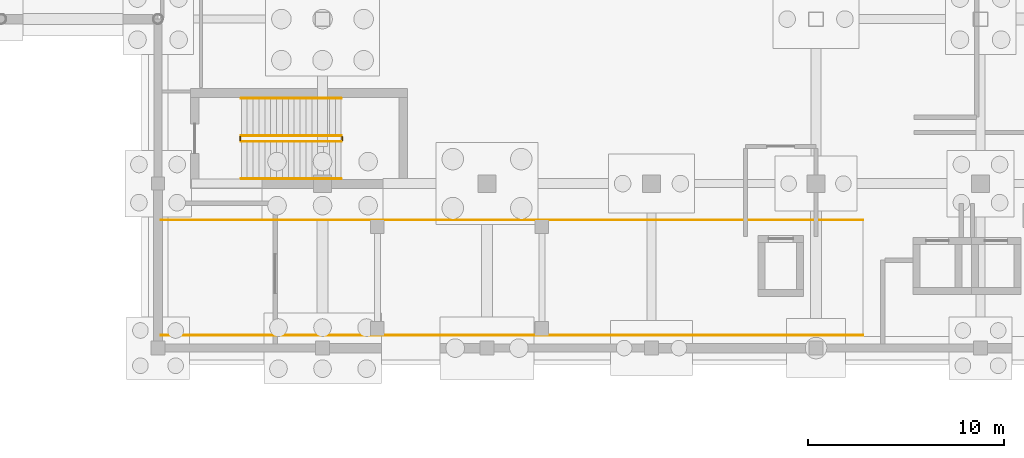
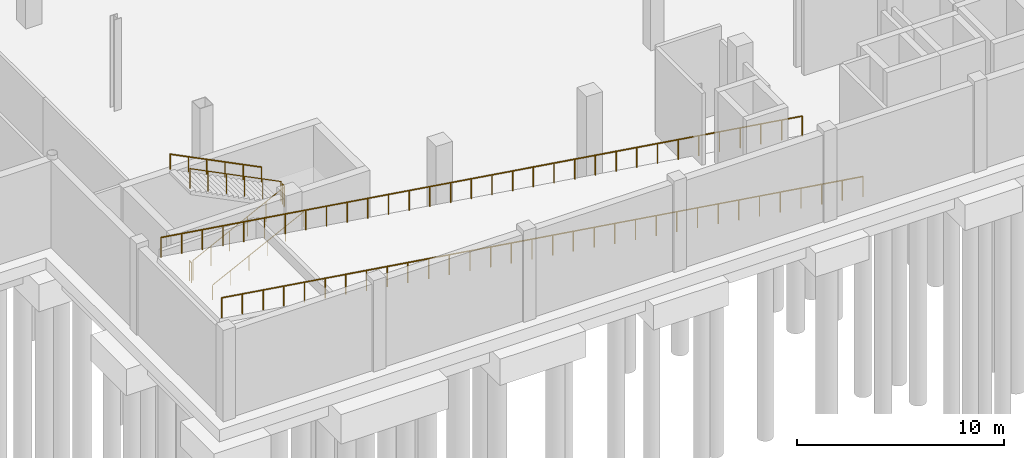
# One storey, part 38 of 49: 8 railings.
"""IFC4 building model written with IfcOpenShell, lengths in metres."""

from ifc_helpers import new_model, si_unit, direction, frame, origin, origin_2d, place, context, subcontext, project, spatial, circle, extrude, material, type_object, element, save


model = new_model("IFC4")

# Units and contexts
model_context = context("Model", 3, precision=1e-05, world=origin(), true_north=direction((0.0, 1.0)))
body_context = subcontext(model_context, "Body", "Model", "MODEL_VIEW")
ifc_project = project(units=[si_unit("LENGTHUNIT", "METRE"), si_unit("AREAUNIT", "SQUARE_METRE"), si_unit("VOLUMEUNIT", "CUBIC_METRE"), si_unit("PLANEANGLEUNIT", "RADIAN"), si_unit("MASSUNIT", "GRAM", prefix="KILO"), si_unit("THERMODYNAMICTEMPERATUREUNIT", "KELVIN")], contexts=[model_context])

# Site, building, storey
site_placement = place(None, origin())
site = spatial("IfcSite", under=ifc_project, at=site_placement, CompositionType="ELEMENT")
building_placement = place(site_placement, origin())
building = spatial("IfcBuilding", under=site, at=building_placement, Name="Lustrewick Department Store", CompositionType="ELEMENT")
storey_placement = place(building_placement, frame((0.0, 0.0, -5.39990234375)))
storey = spatial("IfcBuildingStorey", under=building, at=storey_placement, Name="B1", CompositionType="ELEMENT", Elevation=-5.39990234375)

# Railings
ifc_material_1 = material(Name="Painted tubular steel stairwell guardrail", Category="steel")
railing_type_1 = type_object("IfcRailingType", Name="RL-STG", PredefinedType="GUARDRAIL", material=ifc_material_1)
railing_1_placement = place(storey_placement, frame((12.64990234375, 52.550048828125, 0.14990234375)))
element("IfcRailing", 1, at=railing_1_placement, inside=storey, type_object=railing_type_1, Name="B1 ST01 Stair Guard 1", PredefinedType="GUARDRAIL", context=body_context, shape_type="SweptSolid", body=[
    extrude(circle(Radius=0.02392578125, at=origin_2d()), frame((0.0, 0.0, 1.17578125), z_axis=(0.894427191, 0.0, 0.4472135955), x_axis=(0.0, 1.0, 0.0)), (0.0, 0.0, 1.0), 5.7021484375),
    extrude(circle(Radius=0.02099609375, at=origin_2d()), origin(), (0.0, 0.0, 1.0), 1.15185546875),
    extrude(circle(Radius=0.02099609375, at=origin_2d()), frame((1.02001953125, 0.0, 0.510009765625)), (0.0, 0.0, 1.0), 1.15185546875),
    extrude(circle(Radius=0.02099609375, at=origin_2d()), frame((2.0400390625, 0.0, 1.02001953125)), (0.0, 0.0, 1.0), 1.15185546875),
    extrude(circle(Radius=0.02099609375, at=origin_2d()), frame((3.06005859375, 0.0, 1.530029296875)), (0.0, 0.0, 1.0), 1.15185546875),
    extrude(circle(Radius=0.02099609375, at=origin_2d()), frame((4.080078125, 0.0, 2.0400390625)), (0.0, 0.0, 1.0), 1.15185546875),
    extrude(circle(Radius=0.02099609375, at=origin_2d()), frame((5.10009765625, 0.0, 2.550048828125)), (0.0, 0.0, 1.0), 1.15185546875),
])
railing_2_placement = place(storey_placement, frame((17.800048828125, 52.60009765625, 2.699951171875)))
element("IfcRailing", 2, at=railing_2_placement, inside=storey, type_object=railing_type_1, Name="B1 ST01 Stair Guard 2", PredefinedType="GUARDRAIL", context=body_context, shape_type="SweptSolid", body=[
    extrude(circle(Radius=0.02392578125, at=origin_2d()), frame((0.0, 0.0, 1.17578125), z_axis=(0.0, 1.0, 0.0), x_axis=(-1.0, 0.0, 0.0)), (0.0, 0.0, 1.0), 0.199951171875),
    extrude(circle(Radius=0.02099609375, at=origin_2d()), origin(), (0.0, 0.0, 1.0), 1.15185546875),
    extrude(circle(Radius=0.02099609375, at=origin_2d()), frame((0.0, 0.199951171875, 0.0)), (0.0, 0.0, 1.0), 1.15185546875),
])
railing_3_placement = place(storey_placement, frame((17.75, 52.85009765625, 2.849853515625)))
element("IfcRailing", 3, at=railing_3_placement, inside=storey, type_object=railing_type_1, Name="B1 ST01 Stair Guard 3", PredefinedType="GUARDRAIL", context=body_context, shape_type="SweptSolid", body=[
    extrude(circle(Radius=0.02392578125, at=origin_2d()), frame((0.0, 0.0, 1.17578125), z_axis=(-0.894427191, 0.0, 0.4472135955), x_axis=(0.0, -1.0, 0.0)), (0.0, 0.0, 1.0), 5.7021484375),
    extrude(circle(Radius=0.02099609375, at=origin_2d()), origin(), (0.0, 0.0, 1.0), 1.15185546875),
    extrude(circle(Radius=0.02099609375, at=origin_2d()), frame((-1.02001953125, 0.0, 0.510009765625)), (0.0, 0.0, 1.0), 1.15185546875),
    extrude(circle(Radius=0.02099609375, at=origin_2d()), frame((-2.0400390625, 0.0, 1.02001953125)), (0.0, 0.0, 1.0), 1.15185546875),
    extrude(circle(Radius=0.02099609375, at=origin_2d()), frame((-3.06005859375, 0.0, 1.530029296875)), (0.0, 0.0, 1.0), 1.15185546875),
    extrude(circle(Radius=0.02099609375, at=origin_2d()), frame((-4.080078125, 0.0, 2.0400390625)), (0.0, 0.0, 1.0), 1.15185546875),
    extrude(circle(Radius=0.02099609375, at=origin_2d()), frame((-5.10009765625, 0.0, 2.550048828125)), (0.0, 0.0, 1.0), 1.15185546875),
])
railing_4_placement = place(storey_placement, frame((12.60009765625, 52.60009765625, 0.0)))
element("IfcRailing", 4, at=railing_4_placement, inside=storey, type_object=railing_type_1, Name="B1 ST01 Stair Guard 4", PredefinedType="GUARDRAIL", context=body_context, shape_type="SweptSolid", body=[
    extrude(circle(Radius=0.02392578125, at=origin_2d()), frame((0.0, 0.0, 1.17578125), z_axis=(0.0, 1.0, 0.0), x_axis=(-1.0, 0.0, 0.0)), (0.0, 0.0, 1.0), 0.199951171875),
    extrude(circle(Radius=0.02099609375, at=origin_2d()), origin(), (0.0, 0.0, 1.0), 1.15185546875),
    extrude(circle(Radius=0.02099609375, at=origin_2d()), frame((0.0, 0.199951171875, 0.0)), (0.0, 0.0, 1.0), 1.15185546875),
])
railing_5_placement = place(storey_placement, frame((44.39990234375, 42.659912109375, 0.0)))
element("IfcRailing", 5, at=railing_5_placement, inside=storey, type_object=railing_type_1, Name="B1 Vehicle Ramp VR-01 Side Guardrail S", PredefinedType="GUARDRAIL", context=body_context, shape_type="SweptSolid", body=[
    extrude(circle(Radius=0.02392578125, at=origin_2d()), frame((0.0, 0.0, 1.17578125), z_axis=(-0.988936501065, 0.0, 0.148339464948), x_axis=(0.0, -1.0, 0.0)), (0.0, 0.0, 1.0), 36.2509765625),
    extrude(circle(Radius=0.02099609375, at=origin_2d()), origin(), (0.0, 0.0, 1.0), 1.15185546875),
    extrude(circle(Radius=0.02099609375, at=origin_2d()), frame((-1.156494140625, 0.0, 0.173583984375)), (0.0, 0.0, 1.0), 1.15185546875),
    extrude(circle(Radius=0.02099609375, at=origin_2d()), frame((-2.31298828125, 0.0, 0.346923828125)), (0.0, 0.0, 1.0), 1.15185546875),
    extrude(circle(Radius=0.02099609375, at=origin_2d()), frame((-3.46923828125, 0.0, 0.5205078125)), (0.0, 0.0, 1.0), 1.15185546875),
    extrude(circle(Radius=0.02099609375, at=origin_2d()), frame((-4.625732421875, 0.0, 0.69384765625)), (0.0, 0.0, 1.0), 1.15185546875),
    extrude(circle(Radius=0.02099609375, at=origin_2d()), frame((-5.7822265625, 0.0, 0.867431640625)), (0.0, 0.0, 1.0), 1.15185546875),
    extrude(circle(Radius=0.02099609375, at=origin_2d()), frame((-6.938720703125, 0.0, 1.040771484375)), (0.0, 0.0, 1.0), 1.15185546875),
    extrude(circle(Radius=0.02099609375, at=origin_2d()), frame((-8.09521484375, 0.0, 1.21435546875)), (0.0, 0.0, 1.0), 1.15185546875),
    extrude(circle(Radius=0.02099609375, at=origin_2d()), frame((-9.25146484375, 0.0, 1.3876953125)), (0.0, 0.0, 1.0), 1.15185546875),
    extrude(circle(Radius=0.02099609375, at=origin_2d()), frame((-10.407958984375, 0.0, 1.561279296875)), (0.0, 0.0, 1.0), 1.15185546875),
    extrude(circle(Radius=0.02099609375, at=origin_2d()), frame((-11.564453125, 0.0, 1.734619140625)), (0.0, 0.0, 1.0), 1.15185546875),
    extrude(circle(Radius=0.02099609375, at=origin_2d()), frame((-12.720947265625, 0.0, 1.908203125)), (0.0, 0.0, 1.0), 1.15185546875),
    extrude(circle(Radius=0.02099609375, at=origin_2d()), frame((-13.87744140625, 0.0, 2.08154296875)), (0.0, 0.0, 1.0), 1.15185546875),
    extrude(circle(Radius=0.02099609375, at=origin_2d()), frame((-15.03369140625, 0.0, 2.255126953125)), (0.0, 0.0, 1.0), 1.15185546875),
    extrude(circle(Radius=0.02099609375, at=origin_2d()), frame((-16.190185546875, 0.0, 2.428466796875)), (0.0, 0.0, 1.0), 1.15185546875),
    extrude(circle(Radius=0.02099609375, at=origin_2d()), frame((-17.3466796875, 0.0, 2.60205078125)), (0.0, 0.0, 1.0), 1.15185546875),
    extrude(circle(Radius=0.02099609375, at=origin_2d()), frame((-18.503173828125, 0.0, 2.775390625)), (0.0, 0.0, 1.0), 1.15185546875),
    extrude(circle(Radius=0.02099609375, at=origin_2d()), frame((-19.65966796875, 0.0, 2.948974609375)), (0.0, 0.0, 1.0), 1.15185546875),
    extrude(circle(Radius=0.02099609375, at=origin_2d()), frame((-20.816162109375, 0.0, 3.122314453125)), (0.0, 0.0, 1.0), 1.15185546875),
    extrude(circle(Radius=0.02099609375, at=origin_2d()), frame((-21.972412109375, 0.0, 3.2958984375)), (0.0, 0.0, 1.0), 1.15185546875),
    extrude(circle(Radius=0.02099609375, at=origin_2d()), frame((-23.12890625, 0.0, 3.46923828125)), (0.0, 0.0, 1.0), 1.15185546875),
    extrude(circle(Radius=0.02099609375, at=origin_2d()), frame((-24.285400390625, 0.0, 3.642822265625)), (0.0, 0.0, 1.0), 1.15185546875),
    extrude(circle(Radius=0.02099609375, at=origin_2d()), frame((-25.44189453125, 0.0, 3.816162109375)), (0.0, 0.0, 1.0), 1.15185546875),
    extrude(circle(Radius=0.02099609375, at=origin_2d()), frame((-26.598388671875, 0.0, 3.98974609375)), (0.0, 0.0, 1.0), 1.15185546875),
    extrude(circle(Radius=0.02099609375, at=origin_2d()), frame((-27.754638671875, 0.0, 4.1630859375)), (0.0, 0.0, 1.0), 1.15185546875),
    extrude(circle(Radius=0.02099609375, at=origin_2d()), frame((-28.9111328125, 0.0, 4.336669921875)), (0.0, 0.0, 1.0), 1.15185546875),
    extrude(circle(Radius=0.02099609375, at=origin_2d()), frame((-30.067626953125, 0.0, 4.510009765625)), (0.0, 0.0, 1.0), 1.15185546875),
    extrude(circle(Radius=0.02099609375, at=origin_2d()), frame((-31.22412109375, 0.0, 4.68359375)), (0.0, 0.0, 1.0), 1.15185546875),
    extrude(circle(Radius=0.02099609375, at=origin_2d()), frame((-32.380615234375, 0.0, 4.85693359375)), (0.0, 0.0, 1.0), 1.15185546875),
    extrude(circle(Radius=0.02099609375, at=origin_2d()), frame((-33.536865234375, 0.0, 5.030517578125)), (0.0, 0.0, 1.0), 1.15185546875),
    extrude(circle(Radius=0.02099609375, at=origin_2d()), frame((-34.693359375, 0.0, 5.203857421875)), (0.0, 0.0, 1.0), 1.15185546875),
    extrude(circle(Radius=0.02099609375, at=origin_2d()), frame((-35.849853515625, 0.0, 5.37744140625)), (0.0, 0.0, 1.0), 1.15185546875),
])
railing_6_placement = place(storey_placement, frame((44.39990234375, 48.5400390625, 0.0)))
element("IfcRailing", 6, at=railing_6_placement, inside=storey, type_object=railing_type_1, Name="B1 Vehicle Ramp VR-01 Side Guardrail N", PredefinedType="GUARDRAIL", context=body_context, shape_type="SweptSolid", body=[
    extrude(circle(Radius=0.02392578125, at=origin_2d()), frame((0.0, 0.0, 1.17578125), z_axis=(-0.988936501065, 0.0, 0.148339464948), x_axis=(0.0, -1.0, 0.0)), (0.0, 0.0, 1.0), 36.2509765625),
    extrude(circle(Radius=0.02099609375, at=origin_2d()), origin(), (0.0, 0.0, 1.0), 1.15185546875),
    extrude(circle(Radius=0.02099609375, at=origin_2d()), frame((-1.156494140625, 0.0, 0.173583984375)), (0.0, 0.0, 1.0), 1.15185546875),
    extrude(circle(Radius=0.02099609375, at=origin_2d()), frame((-2.31298828125, 0.0, 0.346923828125)), (0.0, 0.0, 1.0), 1.15185546875),
    extrude(circle(Radius=0.02099609375, at=origin_2d()), frame((-3.46923828125, 0.0, 0.5205078125)), (0.0, 0.0, 1.0), 1.15185546875),
    extrude(circle(Radius=0.02099609375, at=origin_2d()), frame((-4.625732421875, 0.0, 0.69384765625)), (0.0, 0.0, 1.0), 1.15185546875),
    extrude(circle(Radius=0.02099609375, at=origin_2d()), frame((-5.7822265625, 0.0, 0.867431640625)), (0.0, 0.0, 1.0), 1.15185546875),
    extrude(circle(Radius=0.02099609375, at=origin_2d()), frame((-6.938720703125, 0.0, 1.040771484375)), (0.0, 0.0, 1.0), 1.15185546875),
    extrude(circle(Radius=0.02099609375, at=origin_2d()), frame((-8.09521484375, 0.0, 1.21435546875)), (0.0, 0.0, 1.0), 1.15185546875),
    extrude(circle(Radius=0.02099609375, at=origin_2d()), frame((-9.25146484375, 0.0, 1.3876953125)), (0.0, 0.0, 1.0), 1.15185546875),
    extrude(circle(Radius=0.02099609375, at=origin_2d()), frame((-10.407958984375, 0.0, 1.561279296875)), (0.0, 0.0, 1.0), 1.15185546875),
    extrude(circle(Radius=0.02099609375, at=origin_2d()), frame((-11.564453125, 0.0, 1.734619140625)), (0.0, 0.0, 1.0), 1.15185546875),
    extrude(circle(Radius=0.02099609375, at=origin_2d()), frame((-12.720947265625, 0.0, 1.908203125)), (0.0, 0.0, 1.0), 1.15185546875),
    extrude(circle(Radius=0.02099609375, at=origin_2d()), frame((-13.87744140625, 0.0, 2.08154296875)), (0.0, 0.0, 1.0), 1.15185546875),
    extrude(circle(Radius=0.02099609375, at=origin_2d()), frame((-15.03369140625, 0.0, 2.255126953125)), (0.0, 0.0, 1.0), 1.15185546875),
    extrude(circle(Radius=0.02099609375, at=origin_2d()), frame((-16.190185546875, 0.0, 2.428466796875)), (0.0, 0.0, 1.0), 1.15185546875),
    extrude(circle(Radius=0.02099609375, at=origin_2d()), frame((-17.3466796875, 0.0, 2.60205078125)), (0.0, 0.0, 1.0), 1.15185546875),
    extrude(circle(Radius=0.02099609375, at=origin_2d()), frame((-18.503173828125, 0.0, 2.775390625)), (0.0, 0.0, 1.0), 1.15185546875),
    extrude(circle(Radius=0.02099609375, at=origin_2d()), frame((-19.65966796875, 0.0, 2.948974609375)), (0.0, 0.0, 1.0), 1.15185546875),
    extrude(circle(Radius=0.02099609375, at=origin_2d()), frame((-20.816162109375, 0.0, 3.122314453125)), (0.0, 0.0, 1.0), 1.15185546875),
    extrude(circle(Radius=0.02099609375, at=origin_2d()), frame((-21.972412109375, 0.0, 3.2958984375)), (0.0, 0.0, 1.0), 1.15185546875),
    extrude(circle(Radius=0.02099609375, at=origin_2d()), frame((-23.12890625, 0.0, 3.46923828125)), (0.0, 0.0, 1.0), 1.15185546875),
    extrude(circle(Radius=0.02099609375, at=origin_2d()), frame((-24.285400390625, 0.0, 3.642822265625)), (0.0, 0.0, 1.0), 1.15185546875),
    extrude(circle(Radius=0.02099609375, at=origin_2d()), frame((-25.44189453125, 0.0, 3.816162109375)), (0.0, 0.0, 1.0), 1.15185546875),
    extrude(circle(Radius=0.02099609375, at=origin_2d()), frame((-26.598388671875, 0.0, 3.98974609375)), (0.0, 0.0, 1.0), 1.15185546875),
    extrude(circle(Radius=0.02099609375, at=origin_2d()), frame((-27.754638671875, 0.0, 4.1630859375)), (0.0, 0.0, 1.0), 1.15185546875),
    extrude(circle(Radius=0.02099609375, at=origin_2d()), frame((-28.9111328125, 0.0, 4.336669921875)), (0.0, 0.0, 1.0), 1.15185546875),
    extrude(circle(Radius=0.02099609375, at=origin_2d()), frame((-30.067626953125, 0.0, 4.510009765625)), (0.0, 0.0, 1.0), 1.15185546875),
    extrude(circle(Radius=0.02099609375, at=origin_2d()), frame((-31.22412109375, 0.0, 4.68359375)), (0.0, 0.0, 1.0), 1.15185546875),
    extrude(circle(Radius=0.02099609375, at=origin_2d()), frame((-32.380615234375, 0.0, 4.85693359375)), (0.0, 0.0, 1.0), 1.15185546875),
    extrude(circle(Radius=0.02099609375, at=origin_2d()), frame((-33.536865234375, 0.0, 5.030517578125)), (0.0, 0.0, 1.0), 1.15185546875),
    extrude(circle(Radius=0.02099609375, at=origin_2d()), frame((-34.693359375, 0.0, 5.203857421875)), (0.0, 0.0, 1.0), 1.15185546875),
    extrude(circle(Radius=0.02099609375, at=origin_2d()), frame((-35.849853515625, 0.0, 5.37744140625)), (0.0, 0.0, 1.0), 1.15185546875),
])
ifc_material_2 = material(Name="Brushed stainless steel wall handrail", Category="steel")
railing_type_2 = type_object("IfcRailingType", Name="RL-STH", PredefinedType="HANDRAIL", material=ifc_material_2)
railing_7_placement = place(storey_placement, frame((12.64990234375, 50.64990234375, 0.14990234375)))
element("IfcRailing", 7, at=railing_7_placement, inside=storey, type_object=railing_type_2, Name="B1 ST01 Stair Handrail 1", PredefinedType="HANDRAIL", context=body_context, shape_type="SweptSolid", body=[
    extrude(circle(Radius=0.02392578125, at=origin_2d()), frame((0.0, 0.0, 0.8759765625), z_axis=(0.894427191, 0.0, 0.4472135955), x_axis=(0.0, 1.0, 0.0)), (0.0, 0.0, 1.0), 5.7021484375),
    extrude(circle(Radius=0.02099609375, at=origin_2d()), origin(), (0.0, 0.0, 1.0), 0.851806640625),
    extrude(circle(Radius=0.02099609375, at=origin_2d()), frame((1.02001953125, 0.0, 0.510009765625)), (0.0, 0.0, 1.0), 0.851806640625),
    extrude(circle(Radius=0.02099609375, at=origin_2d()), frame((2.0400390625, 0.0, 1.02001953125)), (0.0, 0.0, 1.0), 0.851806640625),
    extrude(circle(Radius=0.02099609375, at=origin_2d()), frame((3.06005859375, 0.0, 1.530029296875)), (0.0, 0.0, 1.0), 0.851806640625),
    extrude(circle(Radius=0.02099609375, at=origin_2d()), frame((4.080078125, 0.0, 2.0400390625)), (0.0, 0.0, 1.0), 0.851806640625),
    extrude(circle(Radius=0.02099609375, at=origin_2d()), frame((5.10009765625, 0.0, 2.550048828125)), (0.0, 0.0, 1.0), 0.851806640625),
])
railing_8_placement = place(storey_placement, frame((17.75, 54.75, 2.849853515625)))
element("IfcRailing", 8, at=railing_8_placement, inside=storey, type_object=railing_type_2, Name="B1 ST01 Stair Handrail 2", PredefinedType="HANDRAIL", context=body_context, shape_type="SweptSolid", body=[
    extrude(circle(Radius=0.02392578125, at=origin_2d()), frame((0.0, 0.0, 0.8759765625), z_axis=(-0.894427191, 0.0, 0.4472135955), x_axis=(0.0, -1.0, 0.0)), (0.0, 0.0, 1.0), 5.7021484375),
    extrude(circle(Radius=0.02099609375, at=origin_2d()), origin(), (0.0, 0.0, 1.0), 0.851806640625),
    extrude(circle(Radius=0.02099609375, at=origin_2d()), frame((-1.02001953125, 0.0, 0.510009765625)), (0.0, 0.0, 1.0), 0.851806640625),
    extrude(circle(Radius=0.02099609375, at=origin_2d()), frame((-2.0400390625, 0.0, 1.02001953125)), (0.0, 0.0, 1.0), 0.851806640625),
    extrude(circle(Radius=0.02099609375, at=origin_2d()), frame((-3.06005859375, 0.0, 1.530029296875)), (0.0, 0.0, 1.0), 0.851806640625),
    extrude(circle(Radius=0.02099609375, at=origin_2d()), frame((-4.080078125, 0.0, 2.0400390625)), (0.0, 0.0, 1.0), 0.851806640625),
    extrude(circle(Radius=0.02099609375, at=origin_2d()), frame((-5.10009765625, 0.0, 2.550048828125)), (0.0, 0.0, 1.0), 0.851806640625),
])

save(model, "model.ifc")
